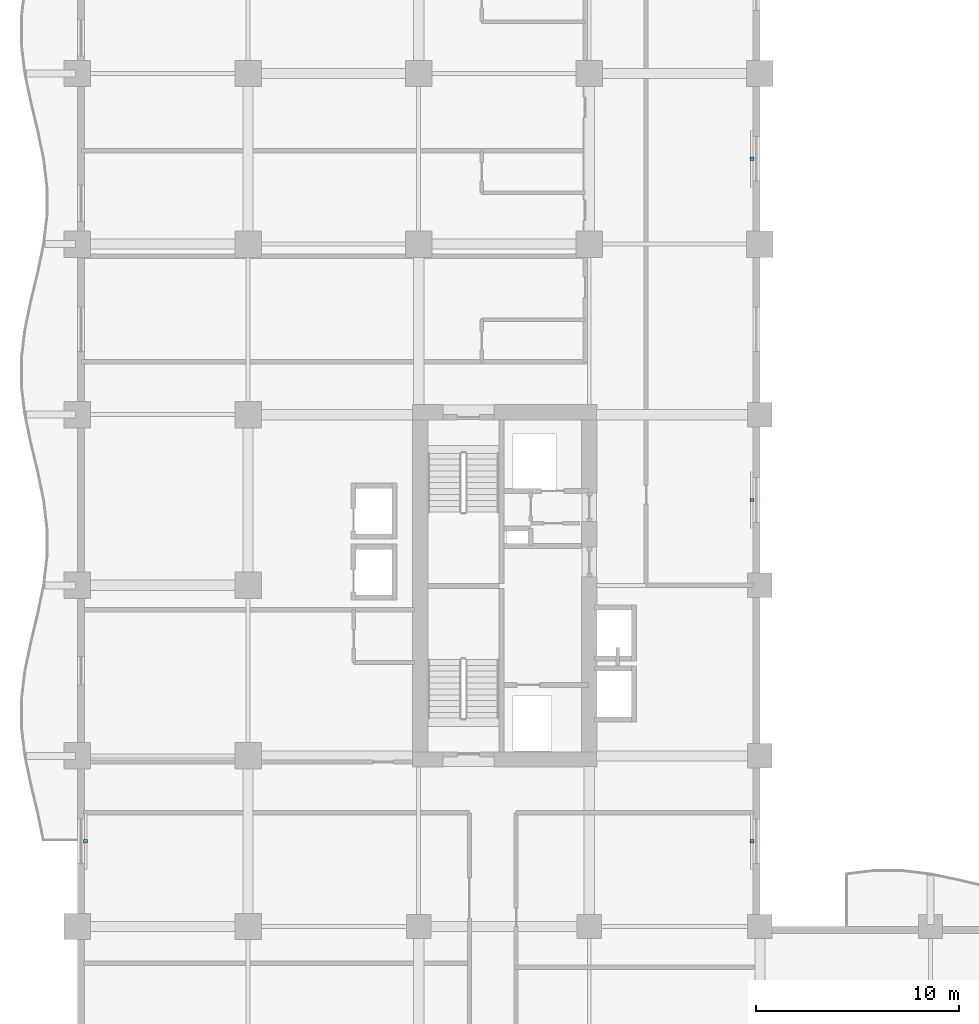
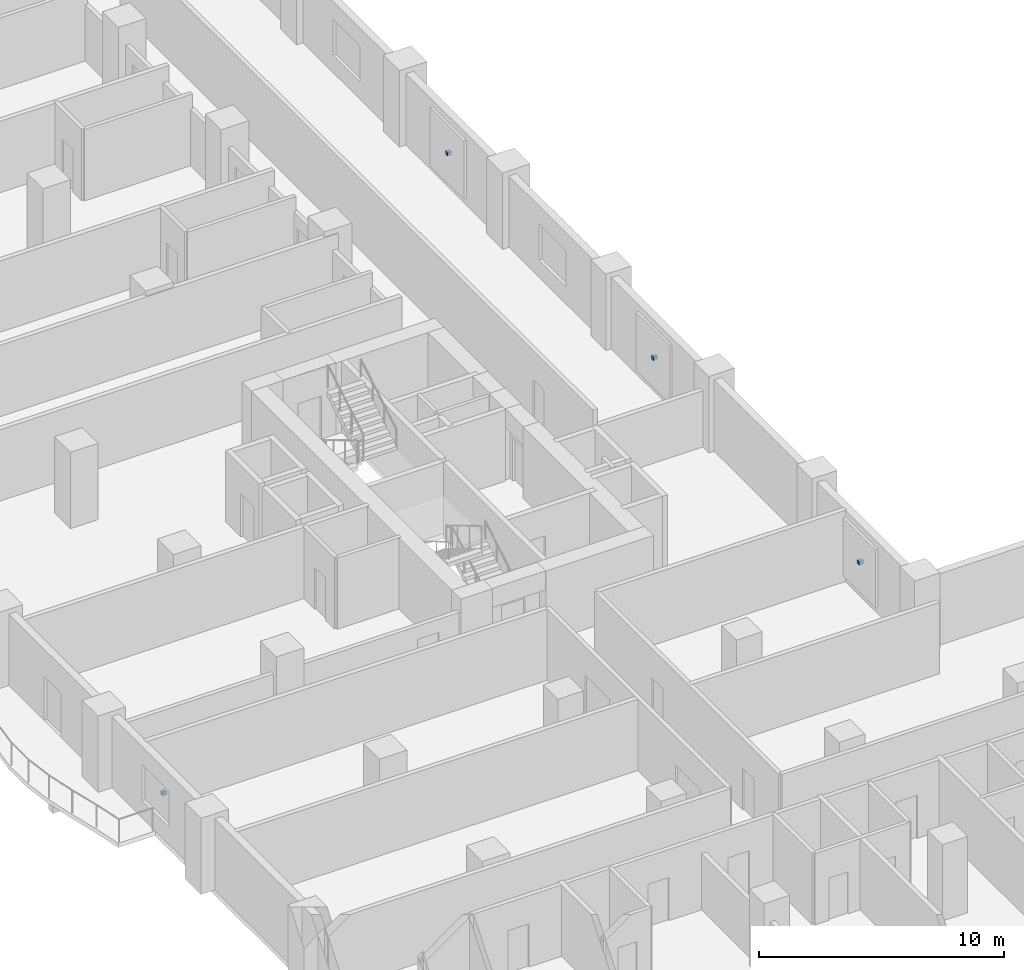
# One storey, part 13 of 17: 4 discrete accessories.
"""IFC4 building model written with IfcOpenShell, lengths in metres."""

from ifc_helpers import new_model, si_unit, direction, frame, origin, origin_2d, place, context, subcontext, project, spatial, rectangle, extrude, material, type_object, element, save


model = new_model("IFC4")

# Units and contexts
model_context = context("Model", 3, precision=1e-05, world=origin(), true_north=direction((0.0, 1.0)))
body_context = subcontext(model_context, "Body", "Model", "MODEL_VIEW")
ifc_project = project(units=[si_unit("LENGTHUNIT", "METRE"), si_unit("AREAUNIT", "SQUARE_METRE"), si_unit("VOLUMEUNIT", "CUBIC_METRE"), si_unit("PLANEANGLEUNIT", "RADIAN"), si_unit("MASSUNIT", "GRAM", prefix="KILO")], contexts=[model_context])

# Site, building, storey
site_placement = place(None, origin())
site = spatial("IfcSite", under=ifc_project, at=site_placement, CompositionType="ELEMENT")
building_placement = place(site_placement, origin())
building = spatial("IfcBuilding", under=site, at=building_placement, Name="Koriwani Terraces Tower", CompositionType="ELEMENT")
storey_placement = place(building_placement, frame((0.0, 0.0, 130.39990234375)))
storey = spatial("IfcBuildingStorey", under=building, at=storey_placement, Name="L31", CompositionType="ELEMENT", Elevation=130.39990234375)

# Discrete accessories
ifc_material = material(Name="Steel ASTM A572 Grade 50", Category="steel")
discrete_accessory_type = type_object("IfcDiscreteAccessoryType", Name="BAGUETTE_STANDOFF_BRACKET", PredefinedType="BRACKET", material=ifc_material)
for number, where, z_axis, x_axis, name in (
    (1, (0.389892578125, 37.800048828125, 1.68505859375), (0.0, 0.0, 1.0), (0.0, 1.0, 0.0), "L31 Terracotta Baguette Bracket (W-12)"),
    (2, (33.2099609375, 37.800048828125, 1.68505859375), (0.0, 0.0, 1.0), (0.0, -1.0, 0.0), "L31 Terracotta Baguette Bracket (NW_IN-2)"),
    (3, (33.2099609375, 54.60009765625, 1.68505859375), (0.0, 0.0, 1.0), (0.0, -1.0, 0.0), "L31 Terracotta Baguette Bracket (NW_IN-8)"),
    (4, (33.2099609375, 71.39990234375, 1.68505859375), (0.0, 0.0, 1.0), (0.0, -1.0, 0.0), "L31 Terracotta Baguette Bracket (NW_IN-14)"),
):
    element("IfcDiscreteAccessory", number, at=place(storey_placement, frame(where, z_axis=z_axis, x_axis=x_axis)), inside=storey, type_object=discrete_accessory_type, Name=name, PredefinedType="BRACKET", context=body_context, shape_type="SweptSolid", body=[
        extrude(rectangle(XDim=0.159912109375, YDim=0.199951171875, at=origin_2d()), origin(), (0.0, 0.0, 1.0), 0.179931640625),
    ])

save(model, "model.ifc")
